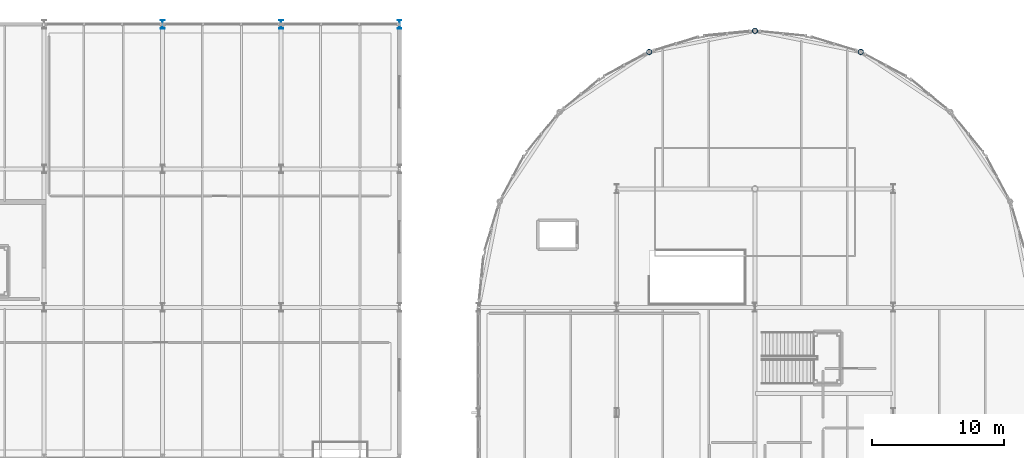
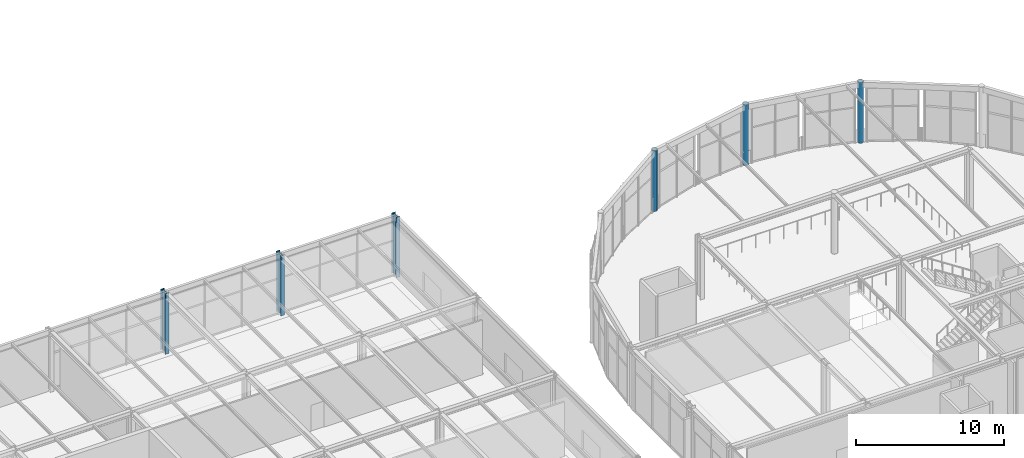
# One storey, part 14 of 195: 6 columns.
"""IFC4 building model written with IfcOpenShell, lengths in metres."""

from ifc_helpers import new_model, si_unit, direction, frame, origin, origin_2d, place, context, subcontext, project, spatial, hollow_circle, i_section, extrude, material, material_profile, profile_set, type_object, element, save


model = new_model("IFC4")

# Units and contexts
model_context = context("Model", 3, precision=1e-05, world=origin(), true_north=direction((0.0, 1.0)))
body_context = subcontext(model_context, "Body", "Model", "MODEL_VIEW")
ifc_project = project(units=[si_unit("LENGTHUNIT", "METRE"), si_unit("AREAUNIT", "SQUARE_METRE"), si_unit("VOLUMEUNIT", "CUBIC_METRE"), si_unit("PLANEANGLEUNIT", "RADIAN"), si_unit("MASSUNIT", "GRAM", prefix="KILO")], contexts=[model_context])

# Site, building, storey
site_placement = place(None, origin())
site = spatial("IfcSite", under=ifc_project, at=site_placement, CompositionType="ELEMENT")
building_placement = place(site_placement, origin())
building = spatial("IfcBuilding", under=site, at=building_placement, Name="Marlcrest Central Station", CompositionType="ELEMENT")
storey_placement = place(building_placement, frame((0.0, 0.0, 9.800048828125)))
storey = spatial("IfcBuildingStorey", under=building, at=storey_placement, Name="L02", CompositionType="ELEMENT", Elevation=9.800048828125)

# Columns
ifc_material = material(Name="Steel S355", Category="steel")
ifc_material_profile_1 = material_profile(ifc_material, i_section(OverallWidth=0.300048828125, OverallDepth=0.64990234375, WebThickness=0.01611328125, FlangeThickness=0.031005859375, FilletRadius=0.027099609375, at=origin_2d()), Name="HEB 650")
ifc_profile_set_1 = profile_set([ifc_material_profile_1], Name="Steel S355")
column_type_1 = type_object("IfcColumnType", Name="SC-06", PredefinedType="COLUMN", material=ifc_profile_set_1)
column_placement = place(storey_placement, frame((63.0, 132.0, 0.0), z_axis=(0.0, 0.0, 1.0), x_axis=(1.0, 0.0, 0.0)))
element("IfcColumn", 1, at=column_placement, inside=storey, type_object=column_type_1, Name="col-SC-06-L02-0148", PredefinedType="COLUMN", context=body_context, shape_type="SweptSolid", body=[
    extrude(i_section(OverallWidth=0.300048828125, OverallDepth=0.64990234375, WebThickness=0.01611328125, FlangeThickness=0.031005859375, FilletRadius=0.027099609375, at=origin_2d()), origin(), (0.0, 0.0, 1.0), 5.0),
])
for number, where, z_axis, x_axis, name in (
    (2, (72.0, 132.0, 0.0), (0.0, 0.0, 1.0), (1.0, 0.0, 0.0), "col-SC-06-L02-0152"),
    (3, (81.0, 132.0, 0.0), (0.0, 0.0, 1.0), (1.0, 0.0, 0.0), "col-SC-06-L02-0156"),
):
    element("IfcColumn", number, at=place(storey_placement, frame(where, z_axis=z_axis, x_axis=x_axis)), inside=storey, type_object=column_type_1, Name=name, PredefinedType="COLUMN", context=body_context, shape_type="SweptSolid", body=[
        extrude(i_section(OverallWidth=0.300048828125, OverallDepth=0.64990234375, WebThickness=0.01611328125, FlangeThickness=0.031005859375, FilletRadius=0.027099609375, at=origin_2d()), origin(), (0.0, 0.0, 1.0), 4.974853515625),
    ])
ifc_material_profile_2 = material_profile(ifc_material, hollow_circle(Radius=0.203125, WallThickness=0.02001953125, at=origin_2d()), Name="CHS 406.4x20")
ifc_profile_set_2 = profile_set([ifc_material_profile_2], Name="Steel S355")
column_type_2 = type_object("IfcColumnType", Name="SC-10", PredefinedType="COLUMN", material=ifc_profile_set_2)
for number, where, z_axis, x_axis, name in (
    (4, (99.964111328125, 129.90087890625, 0.0), (0.0, 0.0, 1.0), (1.0, 0.0, 0.0), "col-SC-10-L02-0853"),
    (5, (108.0, 131.5, 0.0), (0.0, 0.0, 1.0), (1.0, 0.0, 0.0), "col-SC-10-L02-0857"),
    (6, (116.035888671875, 129.90087890625, 0.0), (0.0, 0.0, 1.0), (1.0, 0.0, 0.0), "col-SC-10-L02-0861"),
):
    element("IfcColumn", number, at=place(storey_placement, frame(where, z_axis=z_axis, x_axis=x_axis)), inside=storey, type_object=column_type_2, Name=name, PredefinedType="COLUMN", context=body_context, shape_type="SweptSolid", body=[
        extrude(hollow_circle(Radius=0.203125, WallThickness=0.02001953125, at=origin_2d()), origin(), (0.0, 0.0, 1.0), 5.010009765625),
    ])

save(model, "model.ifc")
